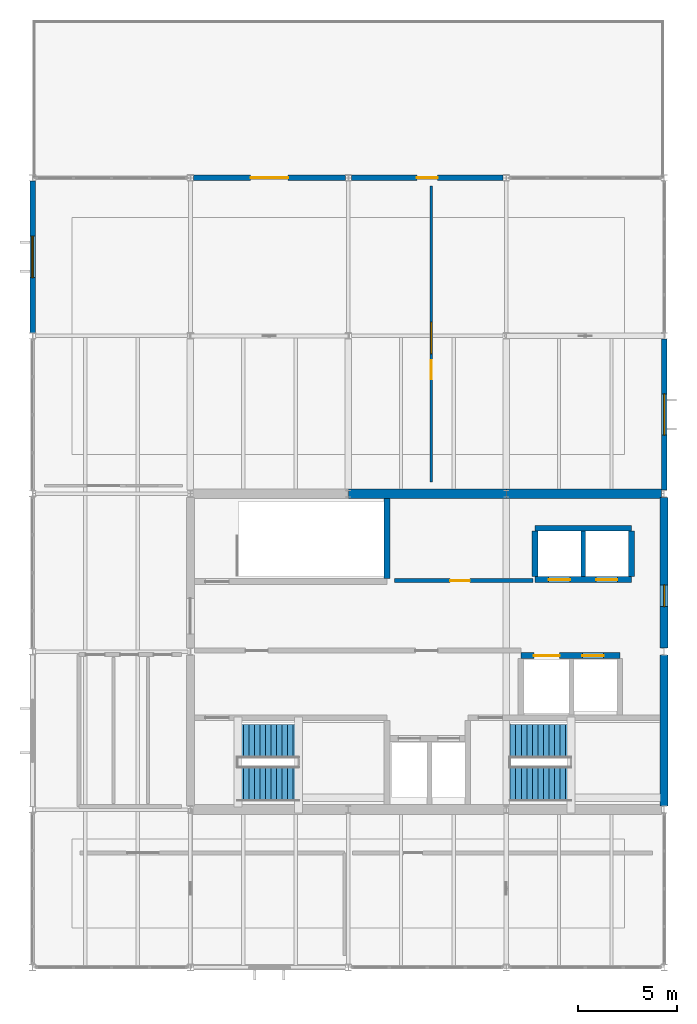
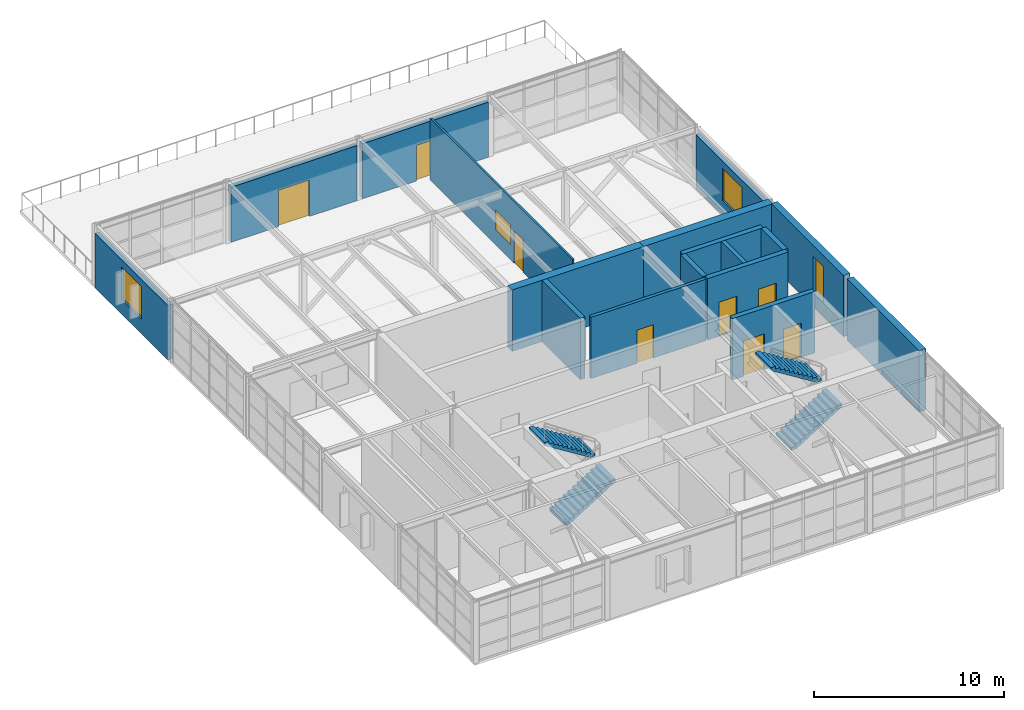
# One storey, part 14 of 15: 17 walls, 8 doors, 4 stair flights, 4 windows, 12 openings, 2 elements without a shape of their own.
"""IFC4 building model written with IfcOpenShell, lengths in metres."""

from ifc_helpers import new_model, si_unit, direction, frame, frame_2d, origin, place, context, subcontext, project, spatial, polyline, rectangle, outline, extrude, material, layer, layer_set, type_object, element, fill, aggregate, save


model = new_model("IFC4")

# Units and contexts
model_context = context("Model", 3, precision=1e-05, world=origin(), true_north=direction((0.0, 1.0)))
body_context = subcontext(model_context, "Body", "Model", "MODEL_VIEW")
ifc_project = project(units=[si_unit("LENGTHUNIT", "METRE"), si_unit("AREAUNIT", "SQUARE_METRE"), si_unit("VOLUMEUNIT", "CUBIC_METRE"), si_unit("PLANEANGLEUNIT", "RADIAN"), si_unit("MASSUNIT", "GRAM", prefix="KILO")], contexts=[model_context])

# Site, building, storey
site_placement = place(None, origin())
site = spatial("IfcSite", under=ifc_project, at=site_placement, CompositionType="ELEMENT")
building_placement = place(site_placement, origin())
building = spatial("IfcBuilding", under=site, at=building_placement, Name="Varnela Railside Interchange", CompositionType="ELEMENT")
storey_placement = place(building_placement, frame((0.0, 0.0, 32.199951171875)))
storey = spatial("IfcBuildingStorey", under=building, at=storey_placement, Name="L07", CompositionType="ELEMENT", Elevation=32.199951171875)

# Wall
ifc_material_1 = material(Name="Concrete C50", Category="concrete")
ifc_layer_1 = layer(ifc_material_1, 0.39990234375)
ifc_layer_set_1 = layer_set([ifc_layer_1], Name="Concrete C50")
wall_type_1 = type_object("IfcWallType", Name="Core Coupling Shear Wall SW-02", PredefinedType="SHEAR", material=ifc_layer_set_1)
wall_1_placement = place(storey_placement, frame((36.0, 54.181396484375, 0.0), z_axis=(0.0, 0.0, 1.0), x_axis=(0.0, 1.0, 0.0)))
element("IfcWall", 1, at=wall_1_placement, inside=storey, type_object=wall_type_1, Name="Core Coupling Shear Wall SW-02 (L07) (WL-1023)", PredefinedType="SHEAR", context=body_context, shape_type="SweptSolid", body=[
    extrude(rectangle(XDim=7.63720703125, YDim=0.39990234375, at=frame_2d((3.818603515625, 0.0))), origin(), (0.0, 0.0, 1.0), 3.9599609375),
])

# Wall, opening, window
wall_2_placement = place(storey_placement, frame((36.0, 62.181396484375, 0.0), z_axis=(0.0, 0.0, 1.0), x_axis=(0.0, 1.0, 0.0)))
wall_2 = element("IfcWall", 2, at=wall_2_placement, inside=storey, type_object=wall_type_1, Name="Core Coupling Shear Wall SW-02 (L07) (WL-1024)", PredefinedType="SHEAR", context=body_context, shape_type="SweptSolid", body=[
    extrude(rectangle(XDim=7.63720703125, YDim=0.39990234375, at=frame_2d((3.818603515625, 0.0))), origin(), (0.0, 0.0, 1.0), 3.9599609375),
])
opening_1_placement = place(wall_2_placement, frame((2.10009765625, 0.0, 0.949951171875)))
opening_1 = element("IfcOpeningElement", 3, at=opening_1_placement, cuts=wall_2, Name="Opening W-149", PredefinedType="OPENING", context=body_context, shape_type="SweptSolid", body=[
    extrude(rectangle(XDim=1.10009765625, YDim=2.300048828125, at=frame_2d((0.550048828125, 1.14990234375))), frame((0.0, 0.2099609375, 0.0), z_axis=(0.0, -1.0, 0.0), x_axis=(1.0, 0.0, 0.0)), (0.0, 0.0, 1.0), 0.419921875),
])
ifc_material_2 = material(Name="Glass laminated double", Category="glass")
window_type_1 = type_object("IfcWindowType", Name="Core Stair Daylight Slot WN-25", PartitioningType="SINGLE_PANEL", PredefinedType="WINDOW", material=ifc_material_2)
window_1_placement = place(opening_1_placement, origin())
window_1 = element("IfcWindow", 4, at=window_1_placement, inside=storey, type_object=window_type_1, Name="Window W-149", OverallHeight=2.300048828125, OverallWidth=1.10009765625, PartitioningType="SINGLE_PANEL", PredefinedType="WINDOW", context=body_context, shape_type="SweptSolid", body=[
    extrude(rectangle(XDim=1.10009765625, YDim=2.300048828125, at=frame_2d((0.550048828125, 1.14990234375))), frame((0.0, 0.030029296875, 0.0), z_axis=(0.0, -1.0, 0.0), x_axis=(1.0, 0.0, 0.0)), (0.0, 0.0, 1.0), 0.06005859375),
])
fill(opening_1, window_1)

# Walls
ifc_layer_2 = layer(ifc_material_1, 0.5)
ifc_layer_set_2 = layer_set([ifc_layer_2], Name="Concrete C50")
wall_type_2 = type_object("IfcWallType", Name="Core Primary Shear Wall SW-01", PredefinedType="SHEAR", material=ifc_layer_set_2)
wall_3_placement = place(storey_placement, frame((20.0, 70.0, 0.0), z_axis=(0.0, 0.0, 1.0), x_axis=(1.0, 0.0, 0.0)))
element("IfcWall", 5, at=wall_3_placement, inside=storey, type_object=wall_type_2, Name="Core Primary Shear Wall SW-01 (L07) (WL-1038)", PredefinedType="SHEAR", context=body_context, shape_type="SweptSolid", body=[
    extrude(rectangle(XDim=8.0, YDim=0.5, at=frame_2d((4.0, 0.0))), origin(), (0.0, 0.0, 1.0), 3.9599609375),
])
wall_4_placement = place(storey_placement, frame((28.0, 70.0, 0.0), z_axis=(0.0, 0.0, 1.0), x_axis=(1.0, 0.0, 0.0)))
element("IfcWall", 6, at=wall_4_placement, inside=storey, type_object=wall_type_2, Name="Core Primary Shear Wall SW-01 (L07) (WL-1039)", PredefinedType="SHEAR", context=body_context, shape_type="SweptSolid", body=[
    extrude(rectangle(XDim=7.87158203125, YDim=0.5, at=frame_2d((3.935791015625, 0.0))), origin(), (0.0, 0.0, 1.0), 3.9599609375),
])

# Wall, opening, door
ifc_material_3 = material(Name="Concrete C40", Category="concrete")
ifc_layer_3 = layer(ifc_material_3, 0.199951171875)
ifc_layer_set_3 = layer_set([ifc_layer_3], Name="Concrete C40")
wall_type_3 = type_object("IfcWallType", Name="Fire Compartment Wall EI60 FW-01", PredefinedType="SOLIDWALL", material=ifc_layer_set_3)
wall_5_placement = place(storey_placement, frame((22.35009765625, 65.60009765625, 0.0), z_axis=(0.0, 0.0, 1.0), x_axis=(1.0, 0.0, 0.0)))
wall_5 = element("IfcWall", 7, at=wall_5_placement, inside=storey, type_object=wall_type_3, Name="Fire Compartment Wall EI60 FW-01 (L07) (WL-1059)", PredefinedType="SOLIDWALL", context=body_context, shape_type="SweptSolid", body=[
    extrude(rectangle(XDim=7.0, YDim=0.199951171875, at=frame_2d((3.5, 0.0))), origin(), (0.0, 0.0, 1.0), 3.9599609375),
])
opening_2_placement = place(wall_5_placement, frame((2.800048828125, 0.0, 0.0)))
opening_2 = element("IfcOpeningElement", 8, at=opening_2_placement, cuts=wall_5, Name="Opening D-313", PredefinedType="OPENING", context=body_context, shape_type="SweptSolid", body=[
    extrude(rectangle(XDim=1.0, YDim=2.14990234375, at=frame_2d((0.5, 1.074951171875))), frame((0.0, 0.10986328125, 0.0), z_axis=(0.0, -1.0, 0.0), x_axis=(1.0, 0.0, 0.0)), (0.0, 0.0, 1.0), 0.219970703125),
])
ifc_material_4 = material(Name="Steel AR 350 (350 MPa)", Category="steel")
door_type_1 = type_object("IfcDoorType", Name="DR-SGL-1000-FD60", OperationType="NOTDEFINED", PredefinedType="DOOR", material=ifc_material_4)
door_1_placement = place(opening_2_placement, origin())
door_1 = element("IfcDoor", 9, at=door_1_placement, inside=storey, type_object=door_type_1, Name="Door D-313", OperationType="SINGLE_SWING_LEFT", OverallHeight=2.14990234375, OverallWidth=1.0, PredefinedType="DOOR", context=body_context, shape_type="SweptSolid", body=[
    extrude(rectangle(XDim=1.0, YDim=2.14990234375, at=frame_2d((0.5, 1.074951171875))), frame((0.0, 0.02490234375, 0.0), z_axis=(0.0, -1.0, 0.0), x_axis=(1.0, 0.0, 0.0)), (0.0, 0.0, 1.0), 0.050048828125),
])
fill(opening_2, door_1)

# Wall, openings, door, window
ifc_layer_4 = layer(ifc_material_2, 0.1201171875)
ifc_layer_set_4 = layer_set([ifc_layer_4], Name="Glass laminated double")
wall_type_4 = type_object("IfcWallType", Name="Glazed Operations Partition IW-03", PredefinedType="PARTITIONING", material=ifc_layer_set_4)
wall_6_placement = place(storey_placement, frame((24.199951171875, 70.60009765625, 0.0), z_axis=(0.0, 0.0, 1.0), x_axis=(0.0, 1.0, 0.0)))
wall_6 = element("IfcWall", 10, at=wall_6_placement, inside=storey, type_object=wall_type_4, Name="Glazed Operations Partition IW-03 (L07) (WL-1060)", PredefinedType="PARTITIONING", context=body_context, shape_type="SweptSolid", body=[
    extrude(rectangle(XDim=15.0, YDim=0.1201171875, at=frame_2d((7.5, 0.0))), origin(), (0.0, 0.0, 1.0), 3.9599609375),
])
opening_3_placement = place(wall_6_placement, frame((5.199951171875, 0.0, 0.0)))
opening_3 = element("IfcOpeningElement", 11, at=opening_3_placement, cuts=wall_6, Name="Opening D-318", PredefinedType="OPENING", context=body_context, shape_type="SweptSolid", body=[
    extrude(rectangle(XDim=0.949951171875, YDim=2.10009765625, at=frame_2d((0.47509765625, 1.050048828125))), frame((0.0, 0.070068359375, 0.0), z_axis=(0.0, -1.0, 0.0), x_axis=(1.0, 0.0, 0.0)), (0.0, 0.0, 1.0), 0.14013671875),
])
opening_4_placement = place(wall_6_placement, frame((6.5, 0.0, 0.949951171875)))
opening_4 = element("IfcOpeningElement", 12, at=opening_4_placement, cuts=wall_6, Name="Opening IW-027", PredefinedType="OPENING", context=body_context, shape_type="SweptSolid", body=[
    extrude(rectangle(XDim=1.60009765625, YDim=1.300048828125, at=frame_2d((0.800048828125, 0.64990234375))), frame((0.0, 0.070068359375, 0.0), z_axis=(0.0, -1.0, 0.0), x_axis=(1.0, 0.0, 0.0)), (0.0, 0.0, 1.0), 0.14013671875),
])
ifc_material_5 = material(Name="Timber solid core", Category="wood")
door_type_2 = type_object("IfcDoorType", Name="DR-SGL-950-ACC", OperationType="NOTDEFINED", PredefinedType="DOOR", material=ifc_material_5)
door_2_placement = place(opening_3_placement, origin())
door_2 = element("IfcDoor", 13, at=door_2_placement, inside=storey, type_object=door_type_2, Name="Door D-318", OperationType="SINGLE_SWING_LEFT", OverallHeight=2.10009765625, OverallWidth=0.949951171875, PredefinedType="DOOR", context=body_context, shape_type="SweptSolid", body=[
    extrude(rectangle(XDim=0.949951171875, YDim=2.10009765625, at=frame_2d((0.47509765625, 1.050048828125))), frame((0.0, 0.02490234375, 0.0), z_axis=(0.0, -1.0, 0.0), x_axis=(1.0, 0.0, 0.0)), (0.0, 0.0, 1.0), 0.050048828125),
])
fill(opening_3, door_2)
window_type_2 = type_object("IfcWindowType", Name="Interior Acoustic Vision Window IW-WN1", PartitioningType="SINGLE_PANEL", PredefinedType="WINDOW", material=ifc_material_2)
window_2_placement = place(opening_4_placement, origin())
window_2 = element("IfcWindow", 14, at=window_2_placement, inside=storey, type_object=window_type_2, Name="Window IW-027", OverallHeight=1.300048828125, OverallWidth=1.60009765625, PartitioningType="SINGLE_PANEL", PredefinedType="WINDOW", context=body_context, shape_type="SweptSolid", body=[
    extrude(rectangle(XDim=1.60009765625, YDim=1.300048828125, at=frame_2d((0.800048828125, 0.64990234375))), frame((0.0, 0.030029296875, 0.0), z_axis=(0.0, -1.0, 0.0), x_axis=(1.0, 0.0, 0.0)), (0.0, 0.0, 1.0), 0.06005859375),
])
fill(opening_4, window_2)

# Wall, opening, window
ifc_material_6 = material(Name="Concrete C40 precast", Category="concrete")
ifc_layer_5 = layer(ifc_material_6, 0.280029296875)
ifc_layer_set_5 = layer_set([ifc_layer_5], Name="Concrete C40 precast")
wall_type_5 = type_object("IfcWallType", Name="Ribbed Precast Concrete Facade Wall EW-02", PredefinedType="STANDARD", material=ifc_layer_set_5)
wall_7_placement = place(storey_placement, frame((4.0, 78.154052734375, 0.0), z_axis=(0.0, 0.0, 1.0), x_axis=(0.0, 1.0, 0.0)))
wall_7 = element("IfcWall", 15, at=wall_7_placement, inside=storey, type_object=wall_type_5, Name="Ribbed Precast Concrete Facade Wall EW-02 (L07) (WL-1056)", PredefinedType="STANDARD", context=body_context, shape_type="SweptSolid", body=[
    extrude(rectangle(XDim=7.69189453125, YDim=0.280029296875, at=frame_2d((3.845947265625, 0.0))), origin(), (0.0, 0.0, 1.0), 3.5),
])
opening_5_placement = place(wall_7_placement, frame((2.7958984375, 0.0, 0.949951171875)))
opening_5 = element("IfcOpeningElement", 16, at=opening_5_placement, cuts=wall_7, Name="Opening W-152", PredefinedType="OPENING", context=body_context, shape_type="SweptSolid", body=[
    extrude(rectangle(XDim=2.10009765625, YDim=2.10009765625, at=frame_2d((1.050048828125, 1.050048828125))), frame((0.0, 0.14990234375, 0.0), z_axis=(0.0, -1.0, 0.0), x_axis=(1.0, 0.0, 0.0)), (0.0, 0.0, 1.0), 0.300048828125),
])
window_type_3 = type_object("IfcWindowType", Name="Acoustic Control Window WN-06", PartitioningType="SINGLE_PANEL", PredefinedType="WINDOW", material=ifc_material_2)
window_3_placement = place(opening_5_placement, origin())
window_3 = element("IfcWindow", 17, at=window_3_placement, inside=storey, type_object=window_type_3, Name="Window W-152", OverallHeight=2.10009765625, OverallWidth=2.10009765625, PartitioningType="SINGLE_PANEL", PredefinedType="WINDOW", context=body_context, shape_type="SweptSolid", body=[
    extrude(rectangle(XDim=2.10009765625, YDim=2.10009765625, at=frame_2d((1.050048828125, 1.050048828125))), frame((0.0, 0.030029296875, 0.0), z_axis=(0.0, -1.0, 0.0), x_axis=(1.0, 0.0, 0.0)), (0.0, 0.0, 1.0), 0.06005859375),
])
fill(opening_5, window_3)

# Wall, opening, door
wall_8_placement = place(storey_placement, frame((12.155029296875, 86.0, 0.0), z_axis=(0.0, 0.0, 1.0), x_axis=(1.0, 0.0, 0.0)))
wall_8 = element("IfcWall", 18, at=wall_8_placement, inside=storey, type_object=wall_type_5, Name="Ribbed Precast Concrete Facade Wall EW-02 (L07) (WL-1051)", PredefinedType="STANDARD", context=body_context, shape_type="SweptSolid", body=[
    extrude(rectangle(XDim=7.68994140625, YDim=0.280029296875, at=frame_2d((3.844970703125, 0.0))), origin(), (0.0, 0.0, 1.0), 3.550048828125),
])
opening_6_placement = place(wall_8_placement, frame((2.89501953125, 0.0, 0.0)))
opening_6 = element("IfcOpeningElement", 19, at=opening_6_placement, cuts=wall_8, Name="Opening D-028", PredefinedType="OPENING", context=body_context, shape_type="SweptSolid", body=[
    extrude(rectangle(XDim=1.89990234375, YDim=2.35009765625, at=frame_2d((0.949951171875, 1.175048828125))), frame((0.0, 0.14990234375, 0.0), z_axis=(0.0, -1.0, 0.0), x_axis=(1.0, 0.0, 0.0)), (0.0, 0.0, 1.0), 0.300048828125),
])
ifc_material_7 = material(Name="Aluminium 6063-T6", Category="aluminium")
door_type_3 = type_object("IfcDoorType", Name="Terrace Glazed Double Door TD-01", OperationType="DOUBLE_DOOR_SINGLE_SWING", PredefinedType="DOOR", material=ifc_material_7)
door_3_placement = place(opening_6_placement, origin())
door_3 = element("IfcDoor", 20, at=door_3_placement, inside=storey, type_object=door_type_3, Name="Door D-028", OperationType="DOUBLE_DOOR_SINGLE_SWING", OverallHeight=2.35009765625, OverallWidth=1.89990234375, PredefinedType="DOOR", context=body_context, shape_type="SweptSolid", body=[
    extrude(rectangle(XDim=1.89990234375, YDim=2.35009765625, at=frame_2d((0.949951171875, 1.175048828125))), frame((0.0, 0.02490234375, 0.0), z_axis=(0.0, -1.0, 0.0), x_axis=(1.0, 0.0, 0.0)), (0.0, 0.0, 1.0), 0.050048828125),
])
fill(opening_6, door_3)

wall_9_placement = place(storey_placement, frame((20.155029296875, 86.0, 0.0), z_axis=(0.0, 0.0, 1.0), x_axis=(1.0, 0.0, 0.0)))
wall_9 = element("IfcWall", 21, at=wall_9_placement, inside=storey, type_object=wall_type_5, Name="Ribbed Precast Concrete Facade Wall EW-02 (L07) (WL-1052)", PredefinedType="STANDARD", context=body_context, shape_type="SweptSolid", body=[
    extrude(rectangle(XDim=7.68994140625, YDim=0.280029296875, at=frame_2d((3.844970703125, 0.0))), origin(), (0.0, 0.0, 1.0), 3.550048828125),
])
opening_7_placement = place(wall_9_placement, frame((3.320068359375, 0.0, 0.0)))
opening_7 = element("IfcOpeningElement", 22, at=opening_7_placement, cuts=wall_9, Name="Opening D-029", PredefinedType="OPENING", context=body_context, shape_type="SweptSolid", body=[
    extrude(rectangle(XDim=1.050048828125, YDim=2.300048828125, at=frame_2d((0.52490234375, 1.14990234375))), frame((0.0, 0.14990234375, 0.0), z_axis=(0.0, -1.0, 0.0), x_axis=(1.0, 0.0, 0.0)), (0.0, 0.0, 1.0), 0.300048828125),
])
door_type_4 = type_object("IfcDoorType", Name="Terrace Glazed Single Door TD-02", OperationType="SINGLE_SWING_RIGHT", PredefinedType="DOOR", material=ifc_material_7)
door_4_placement = place(opening_7_placement, origin())
door_4 = element("IfcDoor", 23, at=door_4_placement, inside=storey, type_object=door_type_4, Name="Door D-029", OperationType="SINGLE_SWING_RIGHT", OverallHeight=2.300048828125, OverallWidth=1.050048828125, PredefinedType="DOOR", context=body_context, shape_type="SweptSolid", body=[
    extrude(rectangle(XDim=1.050048828125, YDim=2.300048828125, at=frame_2d((0.52490234375, 1.14990234375))), frame((0.0, 0.02490234375, 0.0), z_axis=(0.0, -1.0, 0.0), x_axis=(1.0, 0.0, 0.0)), (0.0, 0.0, 1.0), 0.050048828125),
])
fill(opening_7, door_4)

# Wall, opening, window
wall_10_placement = place(storey_placement, frame((36.0, 77.845947265625, 0.0), z_axis=(0.0, 0.0, 1.0), x_axis=(0.0, -1.0, 0.0)))
wall_10 = element("IfcWall", 24, at=wall_10_placement, inside=storey, type_object=wall_type_5, Name="Ribbed Precast Concrete Facade Wall EW-02 (L07) (WL-1053)", PredefinedType="STANDARD", context=body_context, shape_type="SweptSolid", body=[
    extrude(rectangle(XDim=7.66455078125, YDim=0.280029296875, at=frame_2d((3.832275390625, 0.0))), origin(), (0.0, 0.0, 1.0), 3.5),
])
opening_8_placement = place(wall_10_placement, frame((2.7822265625, 0.0, 0.949951171875)))
opening_8 = element("IfcOpeningElement", 25, at=opening_8_placement, cuts=wall_10, Name="Opening W-153", PredefinedType="OPENING", context=body_context, shape_type="SweptSolid", body=[
    extrude(rectangle(XDim=2.10009765625, YDim=2.10009765625, at=frame_2d((1.050048828125, 1.050048828125))), frame((0.0, 0.14990234375, 0.0), z_axis=(0.0, -1.0, 0.0), x_axis=(1.0, 0.0, 0.0)), (0.0, 0.0, 1.0), 0.300048828125),
])
window_4_placement = place(opening_8_placement, origin())
window_4 = element("IfcWindow", 26, at=window_4_placement, inside=storey, type_object=window_type_3, Name="Window W-153", OverallHeight=2.10009765625, OverallWidth=2.10009765625, PartitioningType="SINGLE_PANEL", PredefinedType="WINDOW", context=body_context, shape_type="SweptSolid", body=[
    extrude(rectangle(XDim=2.10009765625, YDim=2.10009765625, at=frame_2d((1.050048828125, 1.050048828125))), frame((0.0, 0.030029296875, 0.0), z_axis=(0.0, -1.0, 0.0), x_axis=(1.0, 0.0, 0.0)), (0.0, 0.0, 1.0), 0.06005859375),
])
fill(opening_8, window_4)

# Wall, openings, doors
ifc_layer_6 = layer(ifc_material_1, 0.300048828125)
ifc_layer_set_6 = layer_set([ifc_layer_6], Name="Concrete C50")
wall_type_6 = type_object("IfcWallType", Name="Stair & Lift Shaft Wall SW-03", PredefinedType="SHEAR", material=ifc_layer_set_6)
wall_11_placement = place(storey_placement, frame((28.75, 61.800048828125, 0.0), z_axis=(0.0, 0.0, 1.0), x_axis=(1.0, 0.0, 0.0)))
wall_11 = element("IfcWall", 27, at=wall_11_placement, inside=storey, type_object=wall_type_6, Name="Stair & Lift Shaft Wall SW-03 (L07) (WL-1030)", PredefinedType="SHEAR", context=body_context, shape_type="SweptSolid", body=[
    extrude(rectangle(XDim=5.0, YDim=0.300048828125, at=frame_2d((2.5, 0.0))), origin(), (0.0, 0.0, 1.0), 3.9599609375),
])
opening_9_placement = place(wall_11_placement, frame((0.64990234375, 0.0, 0.0)))
opening_9 = element("IfcOpeningElement", 28, at=opening_9_placement, cuts=wall_11, Name="Opening LD-092", PredefinedType="OPENING", context=body_context, shape_type="SweptSolid", body=[
    extrude(rectangle(XDim=1.300048828125, YDim=2.300048828125, at=frame_2d((0.64990234375, 1.14990234375))), frame((0.0, 0.159912109375, 0.0), z_axis=(0.0, -1.0, 0.0), x_axis=(1.0, 0.0, 0.0)), (0.0, 0.0, 1.0), 0.320068359375),
])
opening_10_placement = place(wall_11_placement, frame((3.10009765625, 0.0, 0.0)))
opening_10 = element("IfcOpeningElement", 29, at=opening_10_placement, cuts=wall_11, Name="Opening LD-093", PredefinedType="OPENING", context=body_context, shape_type="SweptSolid", body=[
    extrude(rectangle(XDim=1.080078125, YDim=2.199951171875, at=frame_2d((0.5400390625, 1.10009765625))), frame((0.0, 0.159912109375, 0.0), z_axis=(0.0, -1.0, 0.0), x_axis=(1.0, 0.0, 0.0)), (0.0, 0.0, 1.0), 0.320068359375),
])
door_type_5 = type_object("IfcDoorType", Name="DR-LIFT-1080", OperationType="SLIDING_TO_LEFT", PredefinedType="DOOR", material=ifc_material_4)
door_5_placement = place(opening_10_placement, origin())
door_5 = element("IfcDoor", 30, at=door_5_placement, inside=storey, type_object=door_type_5, Name="Door LD-093", OperationType="SLIDING_TO_LEFT", OverallHeight=2.199951171875, OverallWidth=1.080078125, PredefinedType="DOOR", context=body_context, shape_type="SweptSolid", body=[
    extrude(rectangle(XDim=1.080078125, YDim=2.199951171875, at=frame_2d((0.5400390625, 1.10009765625))), frame((0.0, 0.02490234375, 0.0), z_axis=(0.0, -1.0, 0.0), x_axis=(1.0, 0.0, 0.0)), (0.0, 0.0, 1.0), 0.050048828125),
])
fill(opening_10, door_5)
door_type_6 = type_object("IfcDoorType", Name="DR-LIFT-1300", OperationType="SLIDING_TO_LEFT", PredefinedType="DOOR", material=ifc_material_4)
door_6_placement = place(opening_9_placement, origin())
door_6 = element("IfcDoor", 31, at=door_6_placement, inside=storey, type_object=door_type_6, Name="Door LD-092", OperationType="SLIDING_TO_LEFT", OverallHeight=2.300048828125, OverallWidth=1.300048828125, PredefinedType="DOOR", context=body_context, shape_type="SweptSolid", body=[
    extrude(rectangle(XDim=1.300048828125, YDim=2.300048828125, at=frame_2d((0.64990234375, 1.14990234375))), frame((0.0, 0.02490234375, 0.0), z_axis=(0.0, -1.0, 0.0), x_axis=(1.0, 0.0, 0.0)), (0.0, 0.0, 1.0), 0.050048828125),
])
fill(opening_9, door_6)

# Wall
wall_12_placement = place(storey_placement, frame((21.949951171875, 65.699951171875, 0.0), z_axis=(0.0, 0.0, 1.0), x_axis=(0.0, 1.0, 0.0)))
element("IfcWall", 32, at=wall_12_placement, inside=storey, type_object=wall_type_6, Name="Stair & Lift Shaft Wall SW-03 (L07) (WL-1047)", PredefinedType="SHEAR", context=body_context, shape_type="SweptSolid", body=[
    extrude(rectangle(XDim=4.050048828125, YDim=0.300048828125, at=frame_2d((2.02490234375, 0.0))), origin(), (0.0, 0.0, 1.0), 3.9599609375),
])

# Wall, openings, doors
wall_13_placement = place(storey_placement, frame((29.449951171875, 65.64990234375, 0.0), z_axis=(0.0, 0.0, 1.0), x_axis=(1.0, 0.0, 0.0)))
wall_13 = element("IfcWall", 33, at=wall_13_placement, inside=storey, type_object=wall_type_6, Name="Stair & Lift Shaft Wall SW-03 (L07) (WL-1035)", PredefinedType="SHEAR", context=body_context, shape_type="SweptSolid", body=[
    extrude(rectangle(XDim=4.900146484375, YDim=0.300048828125, at=frame_2d((2.4501953125, 0.0))), origin(), (0.0, 0.0, 1.0), 3.9599609375),
])
opening_11_placement = place(wall_13_placement, frame((0.699951171875, 0.0, 0.0)))
opening_11 = element("IfcOpeningElement", 34, at=opening_11_placement, cuts=wall_13, Name="Opening LD-094", PredefinedType="OPENING", context=body_context, shape_type="SweptSolid", body=[
    extrude(rectangle(XDim=1.080078125, YDim=2.199951171875, at=frame_2d((0.5400390625, 1.10009765625))), frame((0.0, 0.159912109375, 0.0), z_axis=(0.0, -1.0, 0.0), x_axis=(1.0, 0.0, 0.0)), (0.0, 0.0, 1.0), 0.320068359375),
])
opening_12_placement = place(wall_13_placement, frame((3.10009765625, 0.0, 0.0)))
opening_12 = element("IfcOpeningElement", 35, at=opening_12_placement, cuts=wall_13, Name="Opening LD-095", PredefinedType="OPENING", context=body_context, shape_type="SweptSolid", body=[
    extrude(rectangle(XDim=1.080078125, YDim=2.199951171875, at=frame_2d((0.5400390625, 1.10009765625))), frame((0.0, 0.159912109375, 0.0), z_axis=(0.0, -1.0, 0.0), x_axis=(1.0, 0.0, 0.0)), (0.0, 0.0, 1.0), 0.320068359375),
])
door_7_placement = place(opening_11_placement, origin())
door_7 = element("IfcDoor", 36, at=door_7_placement, inside=storey, type_object=door_type_5, Name="Door LD-094", OperationType="SLIDING_TO_LEFT", OverallHeight=2.199951171875, OverallWidth=1.080078125, PredefinedType="DOOR", context=body_context, shape_type="SweptSolid", body=[
    extrude(rectangle(XDim=1.080078125, YDim=2.199951171875, at=frame_2d((0.5400390625, 1.10009765625))), frame((0.0, 0.02490234375, 0.0), z_axis=(0.0, -1.0, 0.0), x_axis=(1.0, 0.0, 0.0)), (0.0, 0.0, 1.0), 0.050048828125),
])
fill(opening_11, door_7)
door_8_placement = place(opening_12_placement, origin())
door_8 = element("IfcDoor", 37, at=door_8_placement, inside=storey, type_object=door_type_5, Name="Door LD-095", OperationType="SLIDING_TO_LEFT", OverallHeight=2.199951171875, OverallWidth=1.080078125, PredefinedType="DOOR", context=body_context, shape_type="SweptSolid", body=[
    extrude(rectangle(XDim=1.080078125, YDim=2.199951171875, at=frame_2d((0.5400390625, 1.10009765625))), frame((0.0, 0.02490234375, 0.0), z_axis=(0.0, -1.0, 0.0), x_axis=(1.0, 0.0, 0.0)), (0.0, 0.0, 1.0), 0.050048828125),
])
fill(opening_12, door_8)

# Walls
wall_14_placement = place(storey_placement, frame((29.449951171875, 68.25, 0.0), z_axis=(0.0, 0.0, 1.0), x_axis=(1.0, 0.0, 0.0)))
element("IfcWall", 38, at=wall_14_placement, inside=storey, type_object=wall_type_6, Name="Stair & Lift Shaft Wall SW-03 (L07) (WL-1034)", PredefinedType="SHEAR", context=body_context, shape_type="SweptSolid", body=[
    extrude(rectangle(XDim=4.900146484375, YDim=0.300048828125, at=frame_2d((2.4501953125, 0.0))), origin(), (0.0, 0.0, 1.0), 3.9599609375),
])
for number, where, z_axis, x_axis, name in (
    (39, (29.449951171875, 65.800048828125, 0.0), (0.0, 0.0, 1.0), (0.0, 1.0, 0.0), "Stair & Lift Shaft Wall SW-03 (L07) (WL-1036)"),
    (40, (34.35009765625, 65.800048828125, 0.0), (0.0, 0.0, 1.0), (0.0, 1.0, 0.0), "Stair & Lift Shaft Wall SW-03 (L07) (WL-1033)"),
):
    element("IfcWall", number, at=place(storey_placement, frame(where, z_axis=z_axis, x_axis=x_axis)), inside=storey, type_object=wall_type_6, Name=name, PredefinedType="SHEAR", context=body_context, shape_type="SweptSolid", body=[
        extrude(rectangle(XDim=2.300048828125, YDim=0.300048828125, at=frame_2d((1.14990234375, 0.0))), origin(), (0.0, 0.0, 1.0), 3.9599609375),
    ])
wall_15_placement = place(storey_placement, frame((31.89990234375, 65.800048828125, 0.0), z_axis=(0.0, 0.0, 1.0), x_axis=(0.0, 1.0, 0.0)))
element("IfcWall", 41, at=wall_15_placement, inside=storey, type_object=wall_type_6, Name="Stair & Lift Shaft Wall SW-03 (L07) (WL-1032)", PredefinedType="SHEAR", context=body_context, shape_type="SweptSolid", body=[
    extrude(rectangle(XDim=2.300048828125, YDim=0.25, at=frame_2d((1.14990234375, 0.0))), origin(), (0.0, 0.0, 1.0), 3.9599609375),
])

# Stair, stair flights
stair_type = type_object("IfcStairType", Name="Core Pressurized Stair ST-165", PredefinedType="TWO_STRAIGHT_RUN_STAIR", material=ifc_material_3)
stair_1_placement = place(storey_placement, origin())
stair_1 = element("IfcStair", 42, at=stair_1_placement, inside=storey, type_object=stair_type, Name="Stair ST-T1 (L07) (SF-220)", PredefinedType="TWO_STRAIGHT_RUN_STAIR")
stair_flight_type = type_object("IfcStairFlightType", Name="Concrete Stair Flight SF-165", PredefinedType="STRAIGHT", material=ifc_material_3)
stair_flight_1_placement = place(storey_placement, frame((14.39990234375, 55.324951171875, 0.0), z_axis=(0.0, 0.0, 1.0), x_axis=(1.0, 0.0, 0.0)))
stair_flight_1 = element("IfcStairFlight", 43, at=stair_flight_1_placement, type_object=stair_flight_type, Name="ST-T1 flight 1 (SF-221)", NumberOfRisers=12, NumberOfTreads=11, PredefinedType="STRAIGHT", RiserHeight=0.175, TreadLength=0.28, context=body_context, shape_type="SweptSolid", body=[
    extrude(outline(polyline([(0.0, 0.0), (0.0, 0.175048828125), (0.280029296875, 0.175048828125), (0.280029296875, 0.35009765625), (0.56005859375, 0.35009765625), (0.56005859375, 0.52490234375), (0.840087890625, 0.52490234375), (0.840087890625, 0.699951171875), (1.1201171875, 0.699951171875), (1.1201171875, 0.875), (1.39990234375, 0.875), (1.39990234375, 1.050048828125), (1.679931640625, 1.050048828125), (1.679931640625, 1.22509765625), (1.9599609375, 1.22509765625), (1.9599609375, 1.39990234375), (2.239990234375, 1.39990234375), (2.239990234375, 1.574951171875), (2.52001953125, 1.574951171875), (2.52001953125, 1.75), (2.800048828125, 1.75), (2.800048828125, 1.925048828125), (3.080078125, 1.925048828125), (3.080078125, 2.10009765625), (3.080078125, 1.736328125), (0.3017578125, 0.0), (0.0, 0.0)])), frame((0.0, 0.824951171875, 0.0), z_axis=(0.0, -1.0, 0.0), x_axis=(1.0, 0.0, 0.0)), (0.0, 0.0, 1.0), 1.64990234375),
])
stair_flight_2_placement = place(storey_placement, frame((17.47998046875, 57.47509765625, 2.10009765625), z_axis=(0.0, 0.0, 1.0), x_axis=(-1.0, 0.0, 0.0)))
stair_flight_2 = element("IfcStairFlight", 44, at=stair_flight_2_placement, type_object=stair_flight_type, Name="ST-T1 flight 2 (SF-222)", NumberOfRisers=12, NumberOfTreads=11, PredefinedType="STRAIGHT", RiserHeight=0.175, TreadLength=0.28, context=body_context, shape_type="SweptSolid", body=[
    extrude(outline(polyline([(0.0, 0.0), (0.0, 0.175048828125), (0.280029296875, 0.175048828125), (0.280029296875, 0.35009765625), (0.56005859375, 0.35009765625), (0.56005859375, 0.52490234375), (0.840087890625, 0.52490234375), (0.840087890625, 0.699951171875), (1.1201171875, 0.699951171875), (1.1201171875, 0.875), (1.39990234375, 0.875), (1.39990234375, 1.050048828125), (1.679931640625, 1.050048828125), (1.679931640625, 1.22509765625), (1.9599609375, 1.22509765625), (1.9599609375, 1.39990234375), (2.239990234375, 1.39990234375), (2.239990234375, 1.574951171875), (2.52001953125, 1.574951171875), (2.52001953125, 1.75), (2.800048828125, 1.75), (2.800048828125, 1.925048828125), (3.080078125, 1.925048828125), (3.080078125, 2.10009765625), (3.080078125, 1.736328125), (0.3017578125, 0.0), (0.0, 0.0)])), frame((0.0, 0.824951171875, 0.0), z_axis=(0.0, -1.0, 0.0), x_axis=(1.0, 0.0, 0.0)), (0.0, 0.0, 1.0), 1.64990234375),
])
aggregate(stair_1, [stair_flight_1, stair_flight_2])

stair_2_placement = place(storey_placement, origin())
stair_2 = element("IfcStair", 45, at=stair_2_placement, inside=storey, type_object=stair_type, Name="Stair ST-T2 (L07) (SF-223)", PredefinedType="TWO_STRAIGHT_RUN_STAIR")
stair_flight_3_placement = place(storey_placement, frame((28.199951171875, 55.324951171875, 0.0), z_axis=(0.0, 0.0, 1.0), x_axis=(1.0, 0.0, 0.0)))
stair_flight_3 = element("IfcStairFlight", 46, at=stair_flight_3_placement, type_object=stair_flight_type, Name="ST-T2 flight 1 (SF-224)", NumberOfRisers=12, NumberOfTreads=11, PredefinedType="STRAIGHT", RiserHeight=0.175, TreadLength=0.28, context=body_context, shape_type="SweptSolid", body=[
    extrude(outline(polyline([(0.0, 0.0), (0.0, 0.175048828125), (0.280029296875, 0.175048828125), (0.280029296875, 0.35009765625), (0.56005859375, 0.35009765625), (0.56005859375, 0.52490234375), (0.840087890625, 0.52490234375), (0.840087890625, 0.699951171875), (1.1201171875, 0.699951171875), (1.1201171875, 0.875), (1.39990234375, 0.875), (1.39990234375, 1.050048828125), (1.679931640625, 1.050048828125), (1.679931640625, 1.22509765625), (1.9599609375, 1.22509765625), (1.9599609375, 1.39990234375), (2.239990234375, 1.39990234375), (2.239990234375, 1.574951171875), (2.52001953125, 1.574951171875), (2.52001953125, 1.75), (2.800048828125, 1.75), (2.800048828125, 1.925048828125), (3.080078125, 1.925048828125), (3.080078125, 2.10009765625), (3.080078125, 1.736328125), (0.3017578125, 0.0), (0.0, 0.0)])), frame((0.0, 0.824951171875, 0.0), z_axis=(0.0, -1.0, 0.0), x_axis=(1.0, 0.0, 0.0)), (0.0, 0.0, 1.0), 1.64990234375),
])
stair_flight_4_placement = place(storey_placement, frame((31.280029296875, 57.47509765625, 2.10009765625), z_axis=(0.0, 0.0, 1.0), x_axis=(-1.0, 0.0, 0.0)))
stair_flight_4 = element("IfcStairFlight", 47, at=stair_flight_4_placement, type_object=stair_flight_type, Name="ST-T2 flight 2 (SF-225)", NumberOfRisers=12, NumberOfTreads=11, PredefinedType="STRAIGHT", RiserHeight=0.175, TreadLength=0.28, context=body_context, shape_type="SweptSolid", body=[
    extrude(outline(polyline([(0.0, 0.0), (0.0, 0.175048828125), (0.280029296875, 0.175048828125), (0.280029296875, 0.35009765625), (0.56005859375, 0.35009765625), (0.56005859375, 0.52490234375), (0.840087890625, 0.52490234375), (0.840087890625, 0.699951171875), (1.1201171875, 0.699951171875), (1.1201171875, 0.875), (1.39990234375, 0.875), (1.39990234375, 1.050048828125), (1.679931640625, 1.050048828125), (1.679931640625, 1.22509765625), (1.9599609375, 1.22509765625), (1.9599609375, 1.39990234375), (2.239990234375, 1.39990234375), (2.239990234375, 1.574951171875), (2.52001953125, 1.574951171875), (2.52001953125, 1.75), (2.800048828125, 1.75), (2.800048828125, 1.925048828125), (3.080078125, 1.925048828125), (3.080078125, 2.10009765625), (3.080078125, 1.736328125), (0.3017578125, 0.0), (0.0, 0.0)])), frame((0.0, 0.824951171875, 0.0), z_axis=(0.0, -1.0, 0.0), x_axis=(1.0, 0.0, 0.0)), (0.0, 0.0, 1.0), 1.64990234375),
])
aggregate(stair_2, [stair_flight_3, stair_flight_4])

save(model, "model.ifc")
